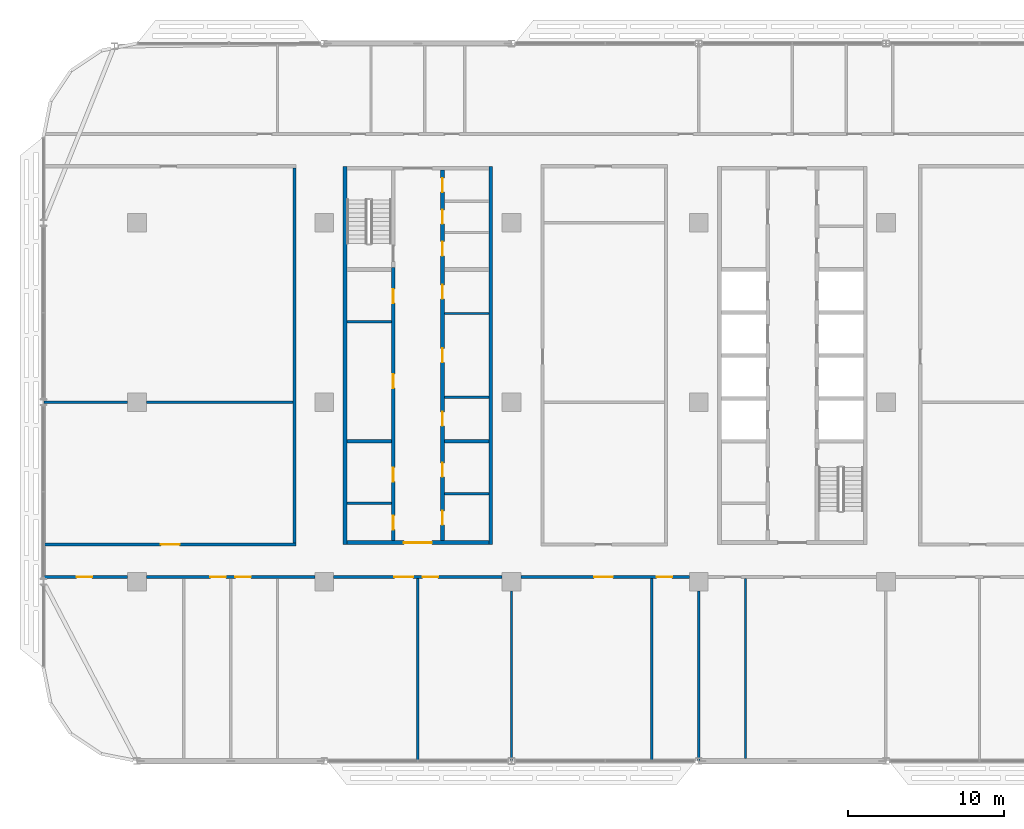
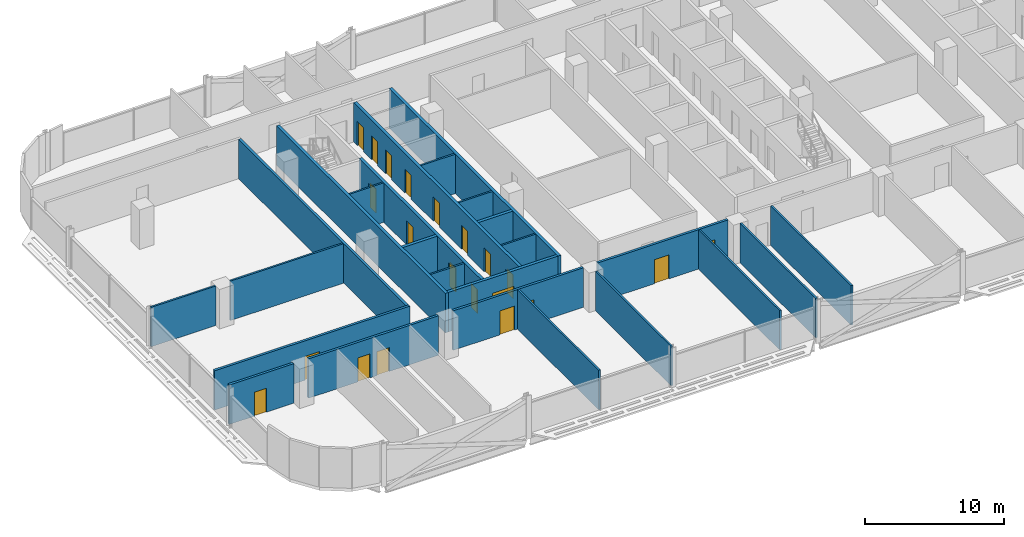
# One storey, part 11 of 27: 25 walls, 21 doors, 21 openings.
"""IFC4 building model written with IfcOpenShell, lengths in metres."""

from ifc_helpers import new_model, si_unit, direction, frame, frame_2d, origin, place, context, subcontext, project, spatial, rectangle, extrude, material, layer, layer_set, type_object, element, fill, save


model = new_model("IFC4")

# Units and contexts
model_context = context("Model", 3, precision=1e-05, world=origin(), true_north=direction((0.0, 1.0)))
body_context = subcontext(model_context, "Body", "Model", "MODEL_VIEW")
ifc_project = project(units=[si_unit("LENGTHUNIT", "METRE"), si_unit("AREAUNIT", "SQUARE_METRE"), si_unit("VOLUMEUNIT", "CUBIC_METRE"), si_unit("PLANEANGLEUNIT", "RADIAN"), si_unit("MASSUNIT", "GRAM", prefix="KILO")], contexts=[model_context])

# Site, building, storey
site_placement = place(None, origin())
site = spatial("IfcSite", under=ifc_project, at=site_placement, CompositionType="ELEMENT")
building_placement = place(site_placement, origin())
building = spatial("IfcBuilding", under=site, at=building_placement, Name="Mahtab Terrace Research Tower", CompositionType="ELEMENT")
storey_placement = place(building_placement, frame((0.0, 0.0, 178.199951171875)))
storey = spatial("IfcBuildingStorey", under=building, at=storey_placement, Name="L42", CompositionType="ELEMENT", Elevation=178.199951171875)

# Walls
ifc_material_1 = material(Name="Gypsum board partition")
ifc_layer_1 = layer(ifc_material_1, 0.14990234375)
ifc_layer_set_1 = layer_set([ifc_layer_1], Name="Core partition 150")
wall_type_1 = type_object("IfcWallType", Name="Core partition 150", PredefinedType="PARTITIONING", material=ifc_layer_set_1)
for number, where, z_axis, x_axis, name in (
    (1, (-28.550048828125, 5.14990234375, 0.0), (0.0, 0.0, 1.0), (1.0, 0.0, 0.0), "Core wall A pWL215"),
    (2, (-22.300048828125, 0.3125, 0.0), (0.0, 0.0, 1.0), (1.0, 0.0, 0.0), "Core wall A pEL-269"),
    (3, (-22.300048828125, 5.6875, 0.0), (0.0, 0.0, 1.0), (1.0, 0.0, 0.0), "Core wall A pEL269"),
    (4, (-28.550048828125, -6.47509765625, 0.0), (0.0, 0.0, 1.0), (1.0, 0.0, 0.0), "Core wall A pWS-948"),
    (5, (-22.300048828125, -5.875, 0.0), (0.0, 0.0, 1.0), (1.0, 0.0, 0.0), "Core wall A pES-888"),
):
    element("IfcWall", number, at=place(storey_placement, frame(where, z_axis=z_axis, x_axis=x_axis)), inside=storey, type_object=wall_type_1, Name=name, PredefinedType="PARTITIONING", context=body_context, shape_type="SweptSolid", body=[
        extrude(rectangle(XDim=2.85009765625, YDim=0.14990234375, at=frame_2d((1.425048828125, 0.0))), origin(), (0.0, 0.0, 1.0), 3.4599609375),
    ])
ifc_material_2 = material(Name="Concrete C70/85", Category="concrete")
ifc_layer_2 = layer(ifc_material_2, 0.25)
ifc_layer_set_2 = layer_set([ifc_layer_2], Name="Core wall 250")
wall_type_2 = type_object("IfcWallType", Name="Core wall 250", PredefinedType="SOLIDWALL", material=ifc_layer_set_2)
for number, where, z_axis, x_axis, name in (
    (6, (-28.675048828125, 15.125, 0.0), (0.0, 0.0, 1.0), (0.0, -1.0, 0.0), "Core wall A outerW"),
    (7, (-19.324951171875, -9.125, 0.0), (0.0, 0.0, 1.0), (0.0, 1.0, 0.0), "Core wall A outerE"),
):
    element("IfcWall", number, at=place(storey_placement, frame(where, z_axis=z_axis, x_axis=x_axis)), inside=storey, type_object=wall_type_2, Name=name, PredefinedType="SOLIDWALL", context=body_context, shape_type="SweptSolid", body=[
        extrude(rectangle(XDim=24.25, YDim=0.25, at=frame_2d((12.125, 0.0))), origin(), (0.0, 0.0, 1.0), 3.4599609375),
    ])

# Wall, opening, door
wall_1_placement = place(storey_placement, frame((-19.449951171875, -9.0, 0.0), z_axis=(0.0, 0.0, 1.0), x_axis=(-1.0, 0.0, 0.0)))
wall_1 = element("IfcWall", 8, at=wall_1_placement, inside=storey, type_object=wall_type_2, Name="Core wall A endS", PredefinedType="SOLIDWALL", context=body_context, shape_type="SweptSolid", body=[
    extrude(rectangle(XDim=9.10009765625, YDim=0.25, at=frame_2d((4.550048828125, 0.0))), origin(), (0.0, 0.0, 1.0), 3.4599609375),
])
opening_1_placement = place(wall_1_placement, frame((3.64990234375, 0.0, 0.0)))
opening_1 = element("IfcOpeningElement", 9, at=opening_1_placement, cuts=wall_1, Name="Opening A-S1", PredefinedType="OPENING", context=body_context, shape_type="SweptSolid", body=[
    extrude(rectangle(XDim=1.800048828125, YDim=2.10009765625, at=frame_2d((0.89990234375, 1.050048828125))), frame((0.0, 0.135009765625, 0.0), z_axis=(0.0, -1.0, 0.0), x_axis=(1.0, 0.0, 0.0)), (0.0, 0.0, 1.0), 0.27001953125),
])
ifc_material_3 = material(Name="Steel fire door", Category="steel")
door_type_1 = type_object("IfcDoorType", Name="Lobby double door 1800x2100 1 HR", OperationType="DOUBLE_DOOR_SINGLE_SWING", PredefinedType="DOOR", material=ifc_material_3)
door_1_placement = place(opening_1_placement, origin())
door_1 = element("IfcDoor", 10, at=door_1_placement, inside=storey, type_object=door_type_1, Name="Core entrance door A S", OperationType="DOUBLE_DOOR_SINGLE_SWING", OverallHeight=2.10009765625, OverallWidth=1.800048828125, PredefinedType="DOOR", context=body_context, shape_type="SweptSolid", body=[
    extrude(rectangle(XDim=1.800048828125, YDim=2.10009765625, at=frame_2d((0.89990234375, 1.050048828125))), frame((0.0, 0.02490234375, 0.0), z_axis=(0.0, -1.0, 0.0), x_axis=(1.0, 0.0, 0.0)), (0.0, 0.0, 1.0), 0.050048828125),
])
fill(opening_1, door_1)

# Wall, openings, doors
wall_2_placement = place(storey_placement, frame((-25.574951171875, -8.875, 0.0), z_axis=(0.0, 0.0, 1.0), x_axis=(0.0, 1.0, 0.0)))
wall_2 = element("IfcWall", 11, at=wall_2_placement, inside=storey, type_object=wall_type_2, Name="Core wall A innerWSL", PredefinedType="SOLIDWALL", context=body_context, shape_type="SweptSolid", body=[
    extrude(rectangle(XDim=17.5, YDim=0.25, at=frame_2d((8.75, 0.0))), origin(), (0.0, 0.0, 1.0), 3.4599609375),
])
opening_2_placement = place(wall_2_placement, frame((9.77490234375, 0.0, 0.0)))
opening_2 = element("IfcOpeningElement", 12, at=opening_2_placement, cuts=wall_2, Name="Opening A-R1", PredefinedType="OPENING", context=body_context, shape_type="SweptSolid", body=[
    extrude(rectangle(XDim=0.89990234375, YDim=2.10009765625, at=frame_2d((0.449951171875, 1.050048828125))), frame((0.0, 0.135009765625, 0.0), z_axis=(0.0, -1.0, 0.0), x_axis=(1.0, 0.0, 0.0)), (0.0, 0.0, 1.0), 0.27001953125),
])
opening_3_placement = place(wall_2_placement, frame((15.22509765625, 0.0, 0.0)))
opening_3 = element("IfcOpeningElement", 13, at=opening_3_placement, cuts=wall_2, Name="Opening A-R2", PredefinedType="OPENING", context=body_context, shape_type="SweptSolid", body=[
    extrude(rectangle(XDim=0.89990234375, YDim=2.10009765625, at=frame_2d((0.449951171875, 1.050048828125))), frame((0.0, 0.135009765625, 0.0), z_axis=(0.0, -1.0, 0.0), x_axis=(1.0, 0.0, 0.0)), (0.0, 0.0, 1.0), 0.27001953125),
])
opening_4_placement = place(wall_2_placement, frame((0.71240234375, 0.0, 0.0)))
opening_4 = element("IfcOpeningElement", 14, at=opening_4_placement, cuts=wall_2, Name="Opening A-R6", PredefinedType="OPENING", context=body_context, shape_type="SweptSolid", body=[
    extrude(rectangle(XDim=0.89990234375, YDim=2.10009765625, at=frame_2d((0.449951171875, 1.050048828125))), frame((0.0, 0.135009765625, 0.0), z_axis=(0.0, -1.0, 0.0), x_axis=(1.0, 0.0, 0.0)), (0.0, 0.0, 1.0), 0.27001953125),
])
opening_5_placement = place(wall_2_placement, frame((3.78759765625, 0.0, 0.0)))
opening_5 = element("IfcOpeningElement", 15, at=opening_5_placement, cuts=wall_2, Name="Opening A-R7", PredefinedType="OPENING", context=body_context, shape_type="SweptSolid", body=[
    extrude(rectangle(XDim=0.89990234375, YDim=2.10009765625, at=frame_2d((0.449951171875, 1.050048828125))), frame((0.0, 0.135009765625, 0.0), z_axis=(0.0, -1.0, 0.0), x_axis=(1.0, 0.0, 0.0)), (0.0, 0.0, 1.0), 0.27001953125),
])
door_type_2 = type_object("IfcDoorType", Name="Room door 900x2100 1 HR", OperationType="NOTDEFINED", PredefinedType="DOOR", material=ifc_material_3)
door_2_placement = place(opening_2_placement, origin())
door_2 = element("IfcDoor", 16, at=door_2_placement, inside=storey, type_object=door_type_2, Name="Chemical store door", OperationType="SINGLE_SWING_LEFT", OverallHeight=2.10009765625, OverallWidth=0.89990234375, PredefinedType="DOOR", context=body_context, shape_type="SweptSolid", body=[
    extrude(rectangle(XDim=0.89990234375, YDim=2.10009765625, at=frame_2d((0.449951171875, 1.050048828125))), frame((0.0, 0.02490234375, 0.0), z_axis=(0.0, -1.0, 0.0), x_axis=(1.0, 0.0, 0.0)), (0.0, 0.0, 1.0), 0.050048828125),
])
fill(opening_2, door_2)
door_3_placement = place(opening_3_placement, origin())
door_3 = element("IfcDoor", 17, at=door_3_placement, inside=storey, type_object=door_type_2, Name="Waste room door", OperationType="SINGLE_SWING_RIGHT", OverallHeight=2.10009765625, OverallWidth=0.89990234375, PredefinedType="DOOR", context=body_context, shape_type="SweptSolid", body=[
    extrude(rectangle(XDim=0.89990234375, YDim=2.10009765625, at=frame_2d((0.449951171875, 1.050048828125))), frame((0.0, 0.02490234375, 0.0), z_axis=(0.0, -1.0, 0.0), x_axis=(1.0, 0.0, 0.0)), (0.0, 0.0, 1.0), 0.050048828125),
])
fill(opening_3, door_3)
door_4_placement = place(opening_4_placement, origin())
door_4 = element("IfcDoor", 18, at=door_4_placement, inside=storey, type_object=door_type_2, Name="Accessible WC door", OperationType="SINGLE_SWING_RIGHT", OverallHeight=2.10009765625, OverallWidth=0.89990234375, PredefinedType="DOOR", context=body_context, shape_type="SweptSolid", body=[
    extrude(rectangle(XDim=0.89990234375, YDim=2.10009765625, at=frame_2d((0.449951171875, 1.050048828125))), frame((0.0, 0.02490234375, 0.0), z_axis=(0.0, -1.0, 0.0), x_axis=(1.0, 0.0, 0.0)), (0.0, 0.0, 1.0), 0.050048828125),
])
fill(opening_4, door_4)
door_5_placement = place(opening_5_placement, origin())
door_5 = element("IfcDoor", 19, at=door_5_placement, inside=storey, type_object=door_type_2, Name="WC block door", OperationType="SINGLE_SWING_LEFT", OverallHeight=2.10009765625, OverallWidth=0.89990234375, PredefinedType="DOOR", context=body_context, shape_type="SweptSolid", body=[
    extrude(rectangle(XDim=0.89990234375, YDim=2.10009765625, at=frame_2d((0.449951171875, 1.050048828125))), frame((0.0, 0.02490234375, 0.0), z_axis=(0.0, -1.0, 0.0), x_axis=(1.0, 0.0, 0.0)), (0.0, 0.0, 1.0), 0.050048828125),
])
fill(opening_5, door_5)

wall_3_placement = place(storey_placement, frame((-22.425048828125, 14.875, 0.0), z_axis=(0.0, 0.0, 1.0), x_axis=(0.0, -1.0, 0.0)))
wall_3 = element("IfcWall", 20, at=wall_3_placement, inside=storey, type_object=wall_type_2, Name="Core wall A innerESLN", PredefinedType="SOLIDWALL", context=body_context, shape_type="SweptSolid", body=[
    extrude(rectangle(XDim=23.75, YDim=0.25, at=frame_2d((11.875, 0.0))), origin(), (0.0, 0.0, 1.0), 3.4599609375),
])
opening_6_placement = place(wall_3_placement, frame((15.493896484375, 0.0, 0.0)))
opening_6 = element("IfcOpeningElement", 21, at=opening_6_placement, cuts=wall_3, Name="Opening A-R3", PredefinedType="OPENING", context=body_context, shape_type="SweptSolid", body=[
    extrude(rectangle(XDim=0.89990234375, YDim=2.10009765625, at=frame_2d((0.449951171875, 1.050048828125))), frame((0.0, 0.135009765625, 0.0), z_axis=(0.0, -1.0, 0.0), x_axis=(1.0, 0.0, 0.0)), (0.0, 0.0, 1.0), 0.27001953125),
])
opening_7_placement = place(wall_3_placement, frame((11.425048828125, 0.0, 0.0)))
opening_7 = element("IfcOpeningElement", 22, at=opening_7_placement, cuts=wall_3, Name="Opening A-R4", PredefinedType="OPENING", context=body_context, shape_type="SweptSolid", body=[
    extrude(rectangle(XDim=0.89990234375, YDim=2.10009765625, at=frame_2d((0.449951171875, 1.050048828125))), frame((0.0, 0.135009765625, 0.0), z_axis=(0.0, -1.0, 0.0), x_axis=(1.0, 0.0, 0.0)), (0.0, 0.0, 1.0), 0.27001953125),
])
opening_8_placement = place(wall_3_placement, frame((7.356201171875, 0.0, 0.0)))
opening_8 = element("IfcOpeningElement", 23, at=opening_8_placement, cuts=wall_3, Name="Opening A-R5", PredefinedType="OPENING", context=body_context, shape_type="SweptSolid", body=[
    extrude(rectangle(XDim=0.89990234375, YDim=2.10009765625, at=frame_2d((0.449951171875, 1.050048828125))), frame((0.0, 0.135009765625, 0.0), z_axis=(0.0, -1.0, 0.0), x_axis=(1.0, 0.0, 0.0)), (0.0, 0.0, 1.0), 0.27001953125),
])
opening_9_placement = place(wall_3_placement, frame((21.83740234375, 0.0, 0.0)))
opening_9 = element("IfcOpeningElement", 24, at=opening_9_placement, cuts=wall_3, Name="Opening A-R8", PredefinedType="OPENING", context=body_context, shape_type="SweptSolid", body=[
    extrude(rectangle(XDim=0.89990234375, YDim=2.10009765625, at=frame_2d((0.449951171875, 1.050048828125))), frame((0.0, 0.135009765625, 0.0), z_axis=(0.0, -1.0, 0.0), x_axis=(1.0, 0.0, 0.0)), (0.0, 0.0, 1.0), 0.27001953125),
])
opening_10_placement = place(wall_3_placement, frame((18.762451171875, 0.0, 0.0)))
opening_10 = element("IfcOpeningElement", 25, at=opening_10_placement, cuts=wall_3, Name="Opening A-R9", PredefinedType="OPENING", context=body_context, shape_type="SweptSolid", body=[
    extrude(rectangle(XDim=0.89990234375, YDim=2.10009765625, at=frame_2d((0.449951171875, 1.050048828125))), frame((0.0, 0.135009765625, 0.0), z_axis=(0.0, -1.0, 0.0), x_axis=(1.0, 0.0, 0.0)), (0.0, 0.0, 1.0), 0.27001953125),
])
opening_11_placement = place(wall_3_placement, frame((4.58740234375, 0.0, 0.0)))
opening_11 = element("IfcOpeningElement", 26, at=opening_11_placement, cuts=wall_3, Name="Opening A-R10", PredefinedType="OPENING", context=body_context, shape_type="SweptSolid", body=[
    extrude(rectangle(XDim=0.89990234375, YDim=2.10009765625, at=frame_2d((0.449951171875, 1.050048828125))), frame((0.0, 0.135009765625, 0.0), z_axis=(0.0, -1.0, 0.0), x_axis=(1.0, 0.0, 0.0)), (0.0, 0.0, 1.0), 0.27001953125),
])
opening_12_placement = place(wall_3_placement, frame((2.550048828125, 0.0, 0.0)))
opening_12 = element("IfcOpeningElement", 27, at=opening_12_placement, cuts=wall_3, Name="Opening A-R11", PredefinedType="OPENING", context=body_context, shape_type="SweptSolid", body=[
    extrude(rectangle(XDim=0.89990234375, YDim=2.10009765625, at=frame_2d((0.449951171875, 1.050048828125))), frame((0.0, 0.135009765625, 0.0), z_axis=(0.0, -1.0, 0.0), x_axis=(1.0, 0.0, 0.0)), (0.0, 0.0, 1.0), 0.27001953125),
])
opening_13_placement = place(wall_3_placement, frame((0.512451171875, 0.0, 0.0)))
opening_13 = element("IfcOpeningElement", 28, at=opening_13_placement, cuts=wall_3, Name="Opening A-R12", PredefinedType="OPENING", context=body_context, shape_type="SweptSolid", body=[
    extrude(rectangle(XDim=0.89990234375, YDim=2.10009765625, at=frame_2d((0.449951171875, 1.050048828125))), frame((0.0, 0.135009765625, 0.0), z_axis=(0.0, -1.0, 0.0), x_axis=(1.0, 0.0, 0.0)), (0.0, 0.0, 1.0), 0.27001953125),
])
door_6_placement = place(opening_6_placement, origin())
door_6 = element("IfcDoor", 29, at=door_6_placement, inside=storey, type_object=door_type_2, Name="Comms room door", OperationType="SINGLE_SWING_LEFT", OverallHeight=2.10009765625, OverallWidth=0.89990234375, PredefinedType="DOOR", context=body_context, shape_type="SweptSolid", body=[
    extrude(rectangle(XDim=0.89990234375, YDim=2.10009765625, at=frame_2d((0.449951171875, 1.050048828125))), frame((0.0, 0.02490234375, 0.0), z_axis=(0.0, -1.0, 0.0), x_axis=(1.0, 0.0, 0.0)), (0.0, 0.0, 1.0), 0.050048828125),
])
fill(opening_6, door_6)
door_7_placement = place(opening_7_placement, origin())
door_7 = element("IfcDoor", 30, at=door_7_placement, inside=storey, type_object=door_type_2, Name="Meeting alcove door", OperationType="SINGLE_SWING_RIGHT", OverallHeight=2.10009765625, OverallWidth=0.89990234375, PredefinedType="DOOR", context=body_context, shape_type="SweptSolid", body=[
    extrude(rectangle(XDim=0.89990234375, YDim=2.10009765625, at=frame_2d((0.449951171875, 1.050048828125))), frame((0.0, 0.02490234375, 0.0), z_axis=(0.0, -1.0, 0.0), x_axis=(1.0, 0.0, 0.0)), (0.0, 0.0, 1.0), 0.050048828125),
])
fill(opening_7, door_7)
door_8_placement = place(opening_8_placement, origin())
door_8 = element("IfcDoor", 31, at=door_8_placement, inside=storey, type_object=door_type_2, Name="Linen store door", OperationType="SINGLE_SWING_LEFT", OverallHeight=2.10009765625, OverallWidth=0.89990234375, PredefinedType="DOOR", context=body_context, shape_type="SweptSolid", body=[
    extrude(rectangle(XDim=0.89990234375, YDim=2.10009765625, at=frame_2d((0.449951171875, 1.050048828125))), frame((0.0, 0.02490234375, 0.0), z_axis=(0.0, -1.0, 0.0), x_axis=(1.0, 0.0, 0.0)), (0.0, 0.0, 1.0), 0.050048828125),
])
fill(opening_8, door_8)
door_9_placement = place(opening_9_placement, origin())
door_9 = element("IfcDoor", 32, at=door_9_placement, inside=storey, type_object=door_type_2, Name="Housekeeping store door", OperationType="SINGLE_SWING_RIGHT", OverallHeight=2.10009765625, OverallWidth=0.89990234375, PredefinedType="DOOR", context=body_context, shape_type="SweptSolid", body=[
    extrude(rectangle(XDim=0.89990234375, YDim=2.10009765625, at=frame_2d((0.449951171875, 1.050048828125))), frame((0.0, 0.02490234375, 0.0), z_axis=(0.0, -1.0, 0.0), x_axis=(1.0, 0.0, 0.0)), (0.0, 0.0, 1.0), 0.050048828125),
])
fill(opening_9, door_9)
door_10_placement = place(opening_10_placement, origin())
door_10 = element("IfcDoor", 33, at=door_10_placement, inside=storey, type_object=door_type_2, Name="Electrical riser room door", OperationType="SINGLE_SWING_LEFT", OverallHeight=2.10009765625, OverallWidth=0.89990234375, PredefinedType="DOOR", context=body_context, shape_type="SweptSolid", body=[
    extrude(rectangle(XDim=0.89990234375, YDim=2.10009765625, at=frame_2d((0.449951171875, 1.050048828125))), frame((0.0, 0.02490234375, 0.0), z_axis=(0.0, -1.0, 0.0), x_axis=(1.0, 0.0, 0.0)), (0.0, 0.0, 1.0), 0.050048828125),
])
fill(opening_10, door_10)
door_11_placement = place(opening_11_placement, origin())
door_11 = element("IfcDoor", 34, at=door_11_placement, inside=storey, type_object=door_type_2, Name="Comms riser room door", OperationType="SINGLE_SWING_RIGHT", OverallHeight=2.10009765625, OverallWidth=0.89990234375, PredefinedType="DOOR", context=body_context, shape_type="SweptSolid", body=[
    extrude(rectangle(XDim=0.89990234375, YDim=2.10009765625, at=frame_2d((0.449951171875, 1.050048828125))), frame((0.0, 0.02490234375, 0.0), z_axis=(0.0, -1.0, 0.0), x_axis=(1.0, 0.0, 0.0)), (0.0, 0.0, 1.0), 0.050048828125),
])
fill(opening_11, door_11)
door_12_placement = place(opening_12_placement, origin())
door_12 = element("IfcDoor", 35, at=door_12_placement, inside=storey, type_object=door_type_2, Name="Pantry door", OperationType="SINGLE_SWING_LEFT", OverallHeight=2.10009765625, OverallWidth=0.89990234375, PredefinedType="DOOR", context=body_context, shape_type="SweptSolid", body=[
    extrude(rectangle(XDim=0.89990234375, YDim=2.10009765625, at=frame_2d((0.449951171875, 1.050048828125))), frame((0.0, 0.02490234375, 0.0), z_axis=(0.0, -1.0, 0.0), x_axis=(1.0, 0.0, 0.0)), (0.0, 0.0, 1.0), 0.050048828125),
])
fill(opening_12, door_12)
door_13_placement = place(opening_13_placement, origin())
door_13 = element("IfcDoor", 36, at=door_13_placement, inside=storey, type_object=door_type_2, Name="Cleaners store door", OperationType="SINGLE_SWING_RIGHT", OverallHeight=2.10009765625, OverallWidth=0.89990234375, PredefinedType="DOOR", context=body_context, shape_type="SweptSolid", body=[
    extrude(rectangle(XDim=0.89990234375, YDim=2.10009765625, at=frame_2d((0.449951171875, 1.050048828125))), frame((0.0, 0.02490234375, 0.0), z_axis=(0.0, -1.0, 0.0), x_axis=(1.0, 0.0, 0.0)), (0.0, 0.0, 1.0), 0.050048828125),
])
fill(opening_13, door_13)

# Walls
for number, where, z_axis, x_axis, name in (
    (37, (-28.550048828125, -2.5, 0.0), (0.0, 0.0, 1.0), (1.0, 0.0, 0.0), "Core wall A divW0"),
    (38, (-22.300048828125, -2.5, 0.0), (0.0, 0.0, 1.0), (1.0, 0.0, 0.0), "Core wall A divE0"),
):
    element("IfcWall", number, at=place(storey_placement, frame(where, z_axis=z_axis, x_axis=x_axis)), inside=storey, type_object=wall_type_2, Name=name, PredefinedType="SOLIDWALL", context=body_context, shape_type="SweptSolid", body=[
        extrude(rectangle(XDim=2.85009765625, YDim=0.25, at=frame_2d((1.425048828125, 0.0))), origin(), (0.0, 0.0, 1.0), 3.4599609375),
    ])

# Wall, opening, door
ifc_material_4 = material(Name="Gypsum board corridor wall on steel studs", Category="steel")
ifc_layer_3 = layer(ifc_material_4, 0.199951171875)
ifc_layer_set_3 = layer_set([ifc_layer_3], Name="WALL CORRIDOR 200")
wall_type_3 = type_object("IfcWallType", Name="WALL CORRIDOR 200", PredefinedType="PARTITIONING", material=ifc_layer_set_3)
wall_4_placement = place(storey_placement, frame((-47.97509765625, -11.199951171875, 0.0), z_axis=(0.0, 0.0, 1.0), x_axis=(1.0, 0.0, 0.0)))
wall_4 = element("IfcWall", 39, at=wall_4_placement, inside=storey, type_object=wall_type_3, Name="L42-W001", PredefinedType="PARTITIONING", context=body_context, shape_type="SweptSolid", body=[
    extrude(rectangle(XDim=5.375, YDim=0.199951171875, at=frame_2d((2.6875, 0.0))), origin(), (0.0, 0.0, 1.0), 3.4599609375),
])
opening_14_placement = place(wall_4_placement, frame((2.10009765625, 0.0, 0.0)))
opening_14 = element("IfcOpeningElement", 40, at=opening_14_placement, cuts=wall_4, Name="Opening L42-101", PredefinedType="OPENING", context=body_context, shape_type="SweptSolid", body=[
    extrude(rectangle(XDim=1.0, YDim=2.10009765625, at=frame_2d((0.5, 1.050048828125))), frame((0.0, 0.10986328125, 0.0), z_axis=(0.0, -1.0, 0.0), x_axis=(1.0, 0.0, 0.0)), (0.0, 0.0, 1.0), 0.219970703125),
])
ifc_material_5 = material(Name="Timber door leaf in steel frame", Category="steel")
door_type_3 = type_object("IfcDoorType", Name="DOOR 1000X2100 FD30S", OperationType="SINGLE_SWING_LEFT", PredefinedType="DOOR", material=ifc_material_5)
door_14_placement = place(opening_14_placement, origin())
door_14 = element("IfcDoor", 41, at=door_14_placement, inside=storey, type_object=door_type_3, Name="Door L42-101", OperationType="SINGLE_SWING_RIGHT", OverallHeight=2.10009765625, OverallWidth=1.0, PredefinedType="DOOR", context=body_context, shape_type="SweptSolid", body=[
    extrude(rectangle(XDim=1.0, YDim=2.10009765625, at=frame_2d((0.5, 1.050048828125))), frame((0.0, 0.02490234375, 0.0), z_axis=(0.0, -1.0, 0.0), x_axis=(1.0, 0.0, 0.0)), (0.0, 0.0, 1.0), 0.050048828125),
])
fill(opening_14, door_14)

# Wall, openings, doors
wall_5_placement = place(storey_placement, frame((-41.39990234375, -11.199951171875, 0.0), z_axis=(0.0, 0.0, 1.0), x_axis=(1.0, 0.0, 0.0)))
wall_5 = element("IfcWall", 42, at=wall_5_placement, inside=storey, type_object=wall_type_3, Name="L42-W002", PredefinedType="PARTITIONING", context=body_context, shape_type="SweptSolid", body=[
    extrude(rectangle(XDim=10.7998046875, YDim=0.199951171875, at=frame_2d((5.39990234375, 0.0))), origin(), (0.0, 0.0, 1.0), 3.4599609375),
])
opening_15_placement = place(wall_5_placement, frame((4.10009765625, 0.0, 0.0)))
opening_15 = element("IfcOpeningElement", 43, at=opening_15_placement, cuts=wall_5, Name="Opening L42-102", PredefinedType="OPENING", context=body_context, shape_type="SweptSolid", body=[
    extrude(rectangle(XDim=1.0, YDim=2.10009765625, at=frame_2d((0.5, 1.050048828125))), frame((0.0, 0.10986328125, 0.0), z_axis=(0.0, -1.0, 0.0), x_axis=(1.0, 0.0, 0.0)), (0.0, 0.0, 1.0), 0.219970703125),
])
opening_16_placement = place(wall_5_placement, frame((5.699951171875, 0.0, 0.0)))
opening_16 = element("IfcOpeningElement", 44, at=opening_16_placement, cuts=wall_5, Name="Opening L42-103", PredefinedType="OPENING", context=body_context, shape_type="SweptSolid", body=[
    extrude(rectangle(XDim=1.0, YDim=2.10009765625, at=frame_2d((0.5, 1.050048828125))), frame((0.0, 0.10986328125, 0.0), z_axis=(0.0, -1.0, 0.0), x_axis=(1.0, 0.0, 0.0)), (0.0, 0.0, 1.0), 0.219970703125),
])
door_15_placement = place(opening_15_placement, origin())
door_15 = element("IfcDoor", 45, at=door_15_placement, inside=storey, type_object=door_type_3, Name="Door L42-102", OperationType="SINGLE_SWING_RIGHT", OverallHeight=2.10009765625, OverallWidth=1.0, PredefinedType="DOOR", context=body_context, shape_type="SweptSolid", body=[
    extrude(rectangle(XDim=1.0, YDim=2.10009765625, at=frame_2d((0.5, 1.050048828125))), frame((0.0, 0.02490234375, 0.0), z_axis=(0.0, -1.0, 0.0), x_axis=(1.0, 0.0, 0.0)), (0.0, 0.0, 1.0), 0.050048828125),
])
fill(opening_15, door_15)
door_16_placement = place(opening_16_placement, origin())
door_16 = element("IfcDoor", 46, at=door_16_placement, inside=storey, type_object=door_type_3, Name="Door L42-103", OperationType="SINGLE_SWING_LEFT", OverallHeight=2.10009765625, OverallWidth=1.0, PredefinedType="DOOR", context=body_context, shape_type="SweptSolid", body=[
    extrude(rectangle(XDim=1.0, YDim=2.10009765625, at=frame_2d((0.5, 1.050048828125))), frame((0.0, 0.02490234375, 0.0), z_axis=(0.0, -1.0, 0.0), x_axis=(1.0, 0.0, 0.0)), (0.0, 0.0, 1.0), 0.050048828125),
])
fill(opening_16, door_16)

wall_6_placement = place(storey_placement, frame((-29.39990234375, -11.199951171875, 0.0), z_axis=(0.0, 0.0, 1.0), x_axis=(1.0, 0.0, 0.0)))
wall_6 = element("IfcWall", 47, at=wall_6_placement, inside=storey, type_object=wall_type_3, Name="L42-W003", PredefinedType="PARTITIONING", context=body_context, shape_type="SweptSolid", body=[
    extrude(rectangle(XDim=10.7998046875, YDim=0.199951171875, at=frame_2d((5.39990234375, 0.0))), origin(), (0.0, 0.0, 1.0), 3.4599609375),
])
opening_17_placement = place(wall_6_placement, frame((3.89990234375, 0.0, 0.0)))
opening_17 = element("IfcOpeningElement", 48, at=opening_17_placement, cuts=wall_6, Name="Opening L42-104", PredefinedType="OPENING", context=body_context, shape_type="SweptSolid", body=[
    extrude(rectangle(XDim=1.199951171875, YDim=2.10009765625, at=frame_2d((0.60009765625, 1.050048828125))), frame((0.0, 0.10986328125, 0.0), z_axis=(0.0, -1.0, 0.0), x_axis=(1.0, 0.0, 0.0)), (0.0, 0.0, 1.0), 0.219970703125),
])
opening_18_placement = place(wall_6_placement, frame((5.699951171875, 0.0, 0.0)))
opening_18 = element("IfcOpeningElement", 49, at=opening_18_placement, cuts=wall_6, Name="Opening L42-105", PredefinedType="OPENING", context=body_context, shape_type="SweptSolid", body=[
    extrude(rectangle(XDim=1.0, YDim=2.10009765625, at=frame_2d((0.5, 1.050048828125))), frame((0.0, 0.10986328125, 0.0), z_axis=(0.0, -1.0, 0.0), x_axis=(1.0, 0.0, 0.0)), (0.0, 0.0, 1.0), 0.219970703125),
])
door_17_placement = place(opening_18_placement, origin())
door_17 = element("IfcDoor", 50, at=door_17_placement, inside=storey, type_object=door_type_3, Name="Door L42-105", OperationType="SINGLE_SWING_LEFT", OverallHeight=2.10009765625, OverallWidth=1.0, PredefinedType="DOOR", context=body_context, shape_type="SweptSolid", body=[
    extrude(rectangle(XDim=1.0, YDim=2.10009765625, at=frame_2d((0.5, 1.050048828125))), frame((0.0, 0.02490234375, 0.0), z_axis=(0.0, -1.0, 0.0), x_axis=(1.0, 0.0, 0.0)), (0.0, 0.0, 1.0), 0.050048828125),
])
fill(opening_18, door_17)
door_type_4 = type_object("IfcDoorType", Name="DOOR 1200X2100 FD30S", OperationType="SINGLE_SWING_LEFT", PredefinedType="DOOR", material=ifc_material_5)
door_18_placement = place(opening_17_placement, origin())
door_18 = element("IfcDoor", 51, at=door_18_placement, inside=storey, type_object=door_type_4, Name="Door L42-104", OperationType="SINGLE_SWING_RIGHT", OverallHeight=2.10009765625, OverallWidth=1.199951171875, PredefinedType="DOOR", context=body_context, shape_type="SweptSolid", body=[
    extrude(rectangle(XDim=1.199951171875, YDim=2.10009765625, at=frame_2d((0.60009765625, 1.050048828125))), frame((0.0, 0.02490234375, 0.0), z_axis=(0.0, -1.0, 0.0), x_axis=(1.0, 0.0, 0.0)), (0.0, 0.0, 1.0), 0.050048828125),
])
fill(opening_17, door_18)

wall_7_placement = place(storey_placement, frame((-17.39990234375, -11.199951171875, 0.0), z_axis=(0.0, 0.0, 1.0), x_axis=(1.0, 0.0, 0.0)))
wall_7 = element("IfcWall", 52, at=wall_7_placement, inside=storey, type_object=wall_type_3, Name="L42-W004", PredefinedType="PARTITIONING", context=body_context, shape_type="SweptSolid", body=[
    extrude(rectangle(XDim=10.7998046875, YDim=0.199951171875, at=frame_2d((5.39990234375, 0.0))), origin(), (0.0, 0.0, 1.0), 3.4599609375),
])
opening_19_placement = place(wall_7_placement, frame((4.699951171875, 0.0, 0.0)))
opening_19 = element("IfcOpeningElement", 53, at=opening_19_placement, cuts=wall_7, Name="Opening L42-106", PredefinedType="OPENING", context=body_context, shape_type="SweptSolid", body=[
    extrude(rectangle(XDim=1.199951171875, YDim=2.10009765625, at=frame_2d((0.60009765625, 1.050048828125))), frame((0.0, 0.10986328125, 0.0), z_axis=(0.0, -1.0, 0.0), x_axis=(1.0, 0.0, 0.0)), (0.0, 0.0, 1.0), 0.219970703125),
])
opening_20_placement = place(wall_7_placement, frame((8.699951171875, 0.0, 0.0)))
opening_20 = element("IfcOpeningElement", 54, at=opening_20_placement, cuts=wall_7, Name="Opening L42-107", PredefinedType="OPENING", context=body_context, shape_type="SweptSolid", body=[
    extrude(rectangle(XDim=1.0, YDim=2.10009765625, at=frame_2d((0.5, 1.050048828125))), frame((0.0, 0.10986328125, 0.0), z_axis=(0.0, -1.0, 0.0), x_axis=(1.0, 0.0, 0.0)), (0.0, 0.0, 1.0), 0.219970703125),
])
door_19_placement = place(opening_20_placement, origin())
door_19 = element("IfcDoor", 55, at=door_19_placement, inside=storey, type_object=door_type_3, Name="Door L42-107", OperationType="SINGLE_SWING_LEFT", OverallHeight=2.10009765625, OverallWidth=1.0, PredefinedType="DOOR", context=body_context, shape_type="SweptSolid", body=[
    extrude(rectangle(XDim=1.0, YDim=2.10009765625, at=frame_2d((0.5, 1.050048828125))), frame((0.0, 0.02490234375, 0.0), z_axis=(0.0, -1.0, 0.0), x_axis=(1.0, 0.0, 0.0)), (0.0, 0.0, 1.0), 0.050048828125),
])
fill(opening_20, door_19)
door_20_placement = place(opening_19_placement, origin())
door_20 = element("IfcDoor", 56, at=door_20_placement, inside=storey, type_object=door_type_4, Name="Door L42-106", OperationType="SINGLE_SWING_RIGHT", OverallHeight=2.10009765625, OverallWidth=1.199951171875, PredefinedType="DOOR", context=body_context, shape_type="SweptSolid", body=[
    extrude(rectangle(XDim=1.199951171875, YDim=2.10009765625, at=frame_2d((0.60009765625, 1.050048828125))), frame((0.0, 0.02490234375, 0.0), z_axis=(0.0, -1.0, 0.0), x_axis=(1.0, 0.0, 0.0)), (0.0, 0.0, 1.0), 0.050048828125),
])
fill(opening_19, door_20)

# Wall, opening, door
wall_8_placement = place(storey_placement, frame((-47.97509765625, -9.125, 0.0), z_axis=(0.0, 0.0, 1.0), x_axis=(1.0, 0.0, 0.0)))
wall_8 = element("IfcWall", 57, at=wall_8_placement, inside=storey, type_object=wall_type_3, Name="L42-W010", PredefinedType="PARTITIONING", context=body_context, shape_type="SweptSolid", body=[
    extrude(rectangle(XDim=16.175048828125, YDim=0.199951171875, at=frame_2d((8.08740234375, 0.0))), origin(), (0.0, 0.0, 1.0), 3.4599609375),
])
opening_21_placement = place(wall_8_placement, frame((7.5, 0.0, 0.0)))
opening_21 = element("IfcOpeningElement", 58, at=opening_21_placement, cuts=wall_8, Name="Opening L42-117", PredefinedType="OPENING", context=body_context, shape_type="SweptSolid", body=[
    extrude(rectangle(XDim=1.199951171875, YDim=2.10009765625, at=frame_2d((0.60009765625, 1.050048828125))), frame((0.0, 0.10986328125, 0.0), z_axis=(0.0, -1.0, 0.0), x_axis=(1.0, 0.0, 0.0)), (0.0, 0.0, 1.0), 0.219970703125),
])
door_21_placement = place(opening_21_placement, origin())
door_21 = element("IfcDoor", 59, at=door_21_placement, inside=storey, type_object=door_type_4, Name="Door L42-117", OperationType="SINGLE_SWING_RIGHT", OverallHeight=2.10009765625, OverallWidth=1.199951171875, PredefinedType="DOOR", context=body_context, shape_type="SweptSolid", body=[
    extrude(rectangle(XDim=1.199951171875, YDim=2.10009765625, at=frame_2d((0.60009765625, 1.050048828125))), frame((0.0, 0.02490234375, 0.0), z_axis=(0.0, -1.0, 0.0), x_axis=(1.0, 0.0, 0.0)), (0.0, 0.0, 1.0), 0.050048828125),
])
fill(opening_21, door_21)

# Walls
wall_9_placement = place(storey_placement, frame((-31.89990234375, -9.02490234375, 0.0), z_axis=(0.0, 0.0, 1.0), x_axis=(0.0, 1.0, 0.0)))
element("IfcWall", 60, at=wall_9_placement, inside=storey, type_object=wall_type_3, Name="L42-W032", PredefinedType="PARTITIONING", context=body_context, shape_type="SweptSolid", body=[
    extrude(rectangle(XDim=24.0498046875, YDim=0.199951171875, at=frame_2d((12.02490234375, 0.0))), origin(), (0.0, 0.0, 1.0), 3.4599609375),
])
ifc_material_6 = material(Name="Gypsum board partition on steel studs", Category="steel")
ifc_layer_4 = layer(ifc_material_6, 0.14990234375)
ifc_layer_set_4 = layer_set([ifc_layer_4], Name="WALL PARTITION 150")
wall_type_4 = type_object("IfcWallType", Name="WALL PARTITION 150", PredefinedType="PARTITIONING", material=ifc_layer_set_4)
wall_10_placement = place(storey_placement, frame((-47.97509765625, 0.0, 0.0), z_axis=(0.0, 0.0, 1.0), x_axis=(1.0, 0.0, 0.0)))
element("IfcWall", 61, at=wall_10_placement, inside=storey, type_object=wall_type_4, Name="L42-W014", PredefinedType="PARTITIONING", context=body_context, shape_type="SweptSolid", body=[
    extrude(rectangle(XDim=5.375, YDim=0.14990234375, at=frame_2d((2.6875, 0.0))), origin(), (0.0, 0.0, 1.0), 3.4599609375),
])
wall_11_placement = place(storey_placement, frame((-41.39990234375, 0.0, 0.0), z_axis=(0.0, 0.0, 1.0), x_axis=(1.0, 0.0, 0.0)))
element("IfcWall", 62, at=wall_11_placement, inside=storey, type_object=wall_type_4, Name="L42-W015", PredefinedType="PARTITIONING", context=body_context, shape_type="SweptSolid", body=[
    extrude(rectangle(XDim=9.39990234375, YDim=0.14990234375, at=frame_2d((4.699951171875, 0.0))), origin(), (0.0, 0.0, 1.0), 3.4599609375),
])
wall_12_placement = place(storey_placement, frame((-24.0, -22.97509765625, 0.0), z_axis=(0.0, 0.0, 1.0), x_axis=(0.0, 1.0, 0.0)))
element("IfcWall", 63, at=wall_12_placement, inside=storey, type_object=wall_type_4, Name="L42-W034", PredefinedType="PARTITIONING", context=body_context, shape_type="SweptSolid", body=[
    extrude(rectangle(XDim=11.675048828125, YDim=0.14990234375, at=frame_2d((5.83740234375, 0.0))), origin(), (0.0, 0.0, 1.0), 3.4599609375),
])
wall_13_placement = place(storey_placement, frame((-18.0, -22.97509765625, 0.0), z_axis=(0.0, 0.0, 1.0), x_axis=(0.0, 1.0, 0.0)))
element("IfcWall", 64, at=wall_13_placement, inside=storey, type_object=wall_type_4, Name="L42-W037", PredefinedType="PARTITIONING", context=body_context, shape_type="SweptSolid", body=[
    extrude(rectangle(XDim=10.875, YDim=0.14990234375, at=frame_2d((5.4375, 0.0))), origin(), (0.0, 0.0, 1.0), 3.4599609375),
])
wall_14_placement = place(storey_placement, frame((-9.0, -22.97509765625, 0.0), z_axis=(0.0, 0.0, 1.0), x_axis=(0.0, 1.0, 0.0)))
element("IfcWall", 65, at=wall_14_placement, inside=storey, type_object=wall_type_4, Name="L42-W039", PredefinedType="PARTITIONING", context=body_context, shape_type="SweptSolid", body=[
    extrude(rectangle(XDim=11.675048828125, YDim=0.14990234375, at=frame_2d((5.83740234375, 0.0))), origin(), (0.0, 0.0, 1.0), 3.4599609375),
])
wall_15_placement = place(storey_placement, frame((-6.0, -22.97509765625, 0.0), z_axis=(0.0, 0.0, 1.0), x_axis=(0.0, 1.0, 0.0)))
element("IfcWall", 66, at=wall_15_placement, inside=storey, type_object=wall_type_4, Name="L42-W041", PredefinedType="PARTITIONING", context=body_context, shape_type="SweptSolid", body=[
    extrude(rectangle(XDim=10.875, YDim=0.14990234375, at=frame_2d((5.4375, 0.0))), origin(), (0.0, 0.0, 1.0), 3.4599609375),
])
wall_16_placement = place(storey_placement, frame((-3.0, -22.85009765625, 0.0), z_axis=(0.0, 0.0, 1.0), x_axis=(0.0, 1.0, 0.0)))
element("IfcWall", 67, at=wall_16_placement, inside=storey, type_object=wall_type_4, Name="L42-W043", PredefinedType="PARTITIONING", context=body_context, shape_type="SweptSolid", body=[
    extrude(rectangle(XDim=11.550048828125, YDim=0.14990234375, at=frame_2d((5.77490234375, 0.0))), origin(), (0.0, 0.0, 1.0), 3.4599609375),
])

save(model, "model.ifc")
